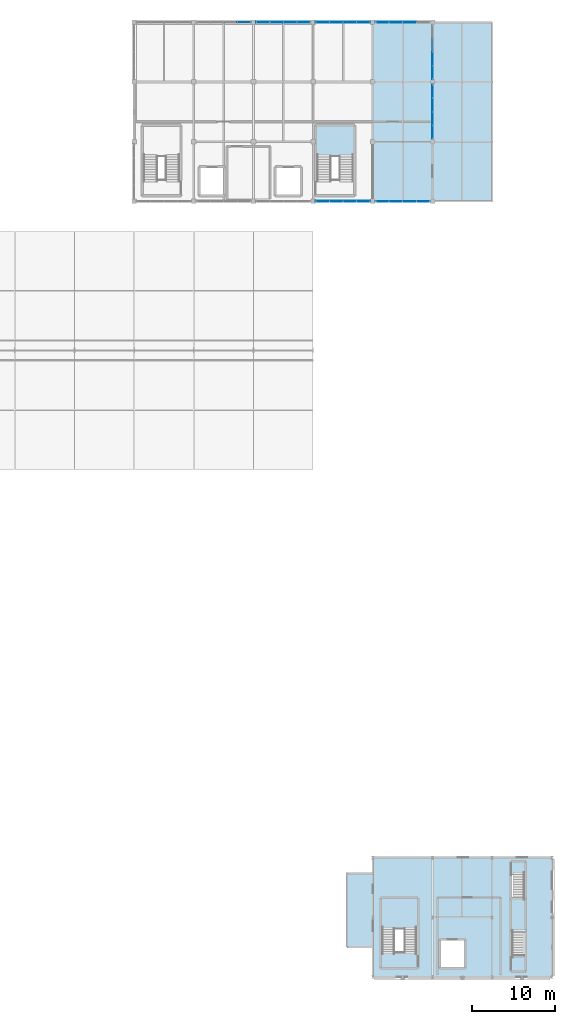
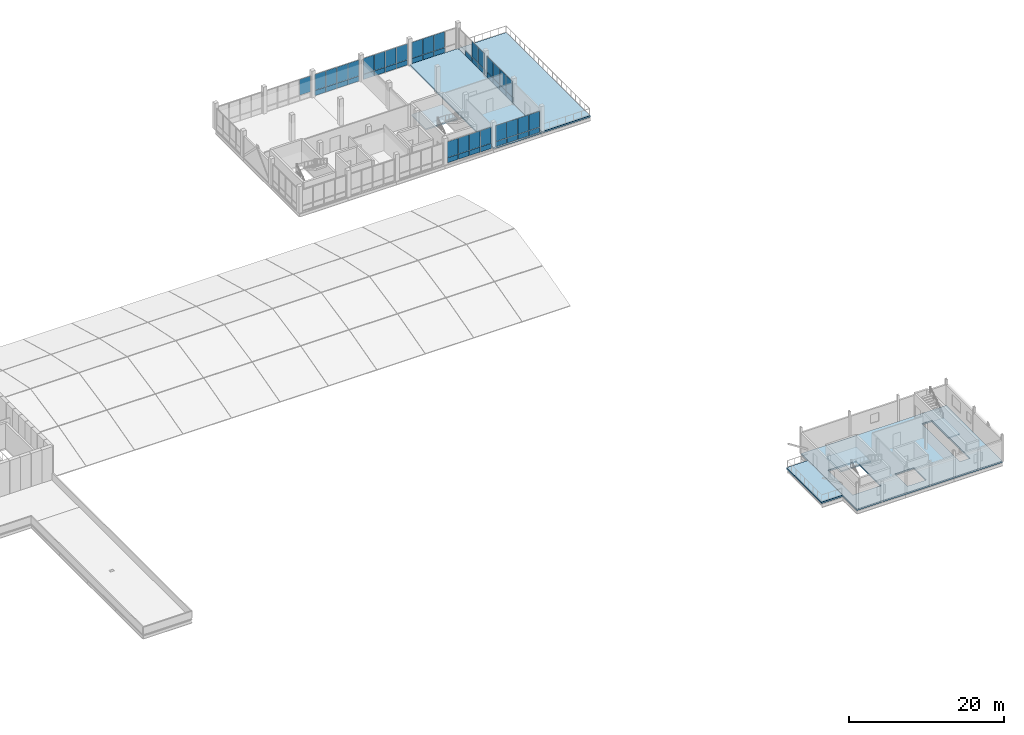
# One storey, part 33 of 47: 52 plates, 7 slabs, 11 elements without a shape of their own.
"""IFC4 building model written with IfcOpenShell, lengths in metres."""

from ifc_helpers import new_model, si_unit, direction, frame, origin, origin_2d, place, context, subcontext, project, spatial, polyline, rectangle, outline, extrude, material, layer, layer_set, type_object, element, aggregate, save


model = new_model("IFC4")

# Units and contexts
model_context = context("Model", 3, precision=1e-05, world=origin(), true_north=direction((0.0, 1.0)))
body_context = subcontext(model_context, "Body", "Model", "MODEL_VIEW")
ifc_project = project(units=[si_unit("LENGTHUNIT", "METRE"), si_unit("AREAUNIT", "SQUARE_METRE"), si_unit("VOLUMEUNIT", "CUBIC_METRE"), si_unit("PLANEANGLEUNIT", "RADIAN"), si_unit("MASSUNIT", "GRAM", prefix="KILO")], contexts=[model_context])

# Site, building, storey
site_placement = place(None, origin())
site = spatial("IfcSite", under=ifc_project, at=site_placement, CompositionType="ELEMENT")
building_placement = place(site_placement, origin())
building = spatial("IfcBuilding", under=site, at=building_placement, Name="Yarey Park Central Fire Station", CompositionType="ELEMENT")
storey_placement = place(building_placement, frame((0.0, 0.0, 18.0)))
storey = spatial("IfcBuildingStorey", under=building, at=storey_placement, Name="L05", CompositionType="ELEMENT", Elevation=18.0)

# Curtain wall, plates
ifc_material_1 = material(Name="Anodized Aluminium Frame", Category="aluminium")
curtain_wall_type = type_object("IfcCurtainWallType", Name="ENV_CW_HQ_L05", PredefinedType="NOTDEFINED", material=ifc_material_1)
curtain_wall_1_placement = place(storey_placement, origin())
curtain_wall_1 = element("IfcCurtainWall", 1, at=curtain_wall_1_placement, inside=storey, type_object=curtain_wall_type, Name="CW_L05_V4_S_5", PredefinedType="NOTDEFINED")
ifc_material_2 = material(Name="Insulated Aluminium Spandrel Panel", Category="aluminium")
ifc_layer_1 = layer(ifc_material_2, 0.055908203125)
ifc_layer_set_1 = layer_set([ifc_layer_1], Name="Insulated Aluminium Spandrel Panel")
plate_type_1 = type_object("IfcPlateType", Name="ENV_PNL_SPN_01", PredefinedType="CURTAIN_PANEL", material=ifc_layer_set_1)
plate_1_placement = place(storey_placement, frame((145.132568359375, 93.60009765625, 0.04248046875), z_axis=(0.0, 0.0, 1.0), x_axis=(1.0, 0.0, 0.0)))
plate_1 = element("IfcPlate", 2, at=plate_1_placement, type_object=plate_type_1, Name="CW_L05_V4_S_5_PNL01", PredefinedType="CURTAIN_PANEL", context=body_context, shape_type="SweptSolid", body=[
    extrude(rectangle(XDim=1.60498046875, YDim=0.055908203125, at=origin_2d()), origin(), (0.0, 0.0, 1.0), 0.7900390625),
])
plate_2_placement = place(storey_placement, frame((146.777587890625, 93.60009765625, 0.04248046875), z_axis=(0.0, 0.0, 1.0), x_axis=(1.0, 0.0, 0.0)))
plate_2 = element("IfcPlate", 3, at=plate_2_placement, type_object=plate_type_1, Name="CW_L05_V4_S_5_PNL03", PredefinedType="CURTAIN_PANEL", context=body_context, shape_type="SweptSolid", body=[
    extrude(rectangle(XDim=1.60498046875, YDim=0.055908203125, at=origin_2d()), origin(), (0.0, 0.0, 1.0), 0.7900390625),
])
plate_3_placement = place(storey_placement, frame((148.422607421875, 93.60009765625, 0.04248046875), z_axis=(0.0, 0.0, 1.0), x_axis=(1.0, 0.0, 0.0)))
plate_3 = element("IfcPlate", 4, at=plate_3_placement, type_object=plate_type_1, Name="CW_L05_V4_S_5_PNL05", PredefinedType="CURTAIN_PANEL", context=body_context, shape_type="SweptSolid", body=[
    extrude(rectangle(XDim=1.60498046875, YDim=0.055908203125, at=origin_2d()), origin(), (0.0, 0.0, 1.0), 0.7900390625),
])
plate_4_placement = place(storey_placement, frame((150.0673828125, 93.60009765625, 0.04248046875), z_axis=(0.0, 0.0, 1.0), x_axis=(1.0, 0.0, 0.0)))
plate_4 = element("IfcPlate", 5, at=plate_4_placement, type_object=plate_type_1, Name="CW_L05_V4_S_5_PNL07", PredefinedType="CURTAIN_PANEL", context=body_context, shape_type="SweptSolid", body=[
    extrude(rectangle(XDim=1.60498046875, YDim=0.055908203125, at=origin_2d()), origin(), (0.0, 0.0, 1.0), 0.7900390625),
])

curtain_wall_2_placement = place(storey_placement, origin())
curtain_wall_2 = element("IfcCurtainWall", 6, at=curtain_wall_2_placement, inside=storey, type_object=curtain_wall_type, Name="CW_L05_V4_E_108", PredefinedType="NOTDEFINED")
plate_5_placement = place(storey_placement, frame((151.199951171875, 109.132568359375, 0.04248046875), z_axis=(0.0, 0.0, 1.0), x_axis=(0.0, 1.0, 0.0)))
plate_5 = element("IfcPlate", 7, at=plate_5_placement, type_object=plate_type_1, Name="CW_L05_V4_E_108_PNL01", PredefinedType="CURTAIN_PANEL", context=body_context, shape_type="SweptSolid", body=[
    extrude(rectangle(XDim=1.60498046875, YDim=0.055908203125, at=origin_2d()), origin(), (0.0, 0.0, 1.0), 0.7900390625),
])
plate_6_placement = place(storey_placement, frame((151.199951171875, 110.777587890625, 0.04248046875), z_axis=(0.0, 0.0, 1.0), x_axis=(0.0, 1.0, 0.0)))
plate_6 = element("IfcPlate", 8, at=plate_6_placement, type_object=plate_type_1, Name="CW_L05_V4_E_108_PNL03", PredefinedType="CURTAIN_PANEL", context=body_context, shape_type="SweptSolid", body=[
    extrude(rectangle(XDim=1.60498046875, YDim=0.055908203125, at=origin_2d()), origin(), (0.0, 0.0, 1.0), 0.7900390625),
])
plate_7_placement = place(storey_placement, frame((151.199951171875, 112.422607421875, 0.04248046875), z_axis=(0.0, 0.0, 1.0), x_axis=(0.0, 1.0, 0.0)))
plate_7 = element("IfcPlate", 9, at=plate_7_placement, type_object=plate_type_1, Name="CW_L05_V4_E_108_PNL05", PredefinedType="CURTAIN_PANEL", context=body_context, shape_type="SweptSolid", body=[
    extrude(rectangle(XDim=1.60498046875, YDim=0.055908203125, at=origin_2d()), origin(), (0.0, 0.0, 1.0), 0.7900390625),
])

curtain_wall_3_placement = place(storey_placement, origin())
curtain_wall_3 = element("IfcCurtainWall", 10, at=curtain_wall_3_placement, inside=storey, type_object=curtain_wall_type, Name="CW_L05_V4_N_4", PredefinedType="NOTDEFINED")
ifc_layer_2 = layer(ifc_material_2, 0.068115234375)
ifc_layer_set_2 = layer_set([ifc_layer_2], Name="Insulated Aluminium Spandrel Panel")
plate_type_2 = type_object("IfcPlateType", Name="ENV_PNL_SPN_02", PredefinedType="CURTAIN_PANEL", material=ifc_layer_set_2)
plate_8_placement = place(storey_placement, frame((142.867431640625, 115.199951171875, 0.04248046875), z_axis=(0.0, 0.0, 1.0), x_axis=(-1.0, 0.0, 0.0)))
plate_8 = element("IfcPlate", 11, at=plate_8_placement, type_object=plate_type_2, Name="CW_L05_V4_N_4_PNL01", PredefinedType="CURTAIN_PANEL", context=body_context, shape_type="SweptSolid", body=[
    extrude(rectangle(XDim=1.60498046875, YDim=0.068115234375, at=origin_2d()), origin(), (0.0, 0.0, 1.0), 0.7900390625),
])
plate_9_placement = place(storey_placement, frame((141.222412109375, 115.199951171875, 0.04248046875), z_axis=(0.0, 0.0, 1.0), x_axis=(-1.0, 0.0, 0.0)))
plate_9 = element("IfcPlate", 12, at=plate_9_placement, type_object=plate_type_2, Name="CW_L05_V4_N_4_PNL03", PredefinedType="CURTAIN_PANEL", context=body_context, shape_type="SweptSolid", body=[
    extrude(rectangle(XDim=1.60498046875, YDim=0.068115234375, at=origin_2d()), origin(), (0.0, 0.0, 1.0), 0.7900390625),
])
plate_10_placement = place(storey_placement, frame((139.577392578125, 115.199951171875, 0.04248046875), z_axis=(0.0, 0.0, 1.0), x_axis=(-1.0, 0.0, 0.0)))
plate_10 = element("IfcPlate", 13, at=plate_10_placement, type_object=plate_type_2, Name="CW_L05_V4_N_4_PNL05", PredefinedType="CURTAIN_PANEL", context=body_context, shape_type="SweptSolid", body=[
    extrude(rectangle(XDim=1.60498046875, YDim=0.068115234375, at=origin_2d()), origin(), (0.0, 0.0, 1.0), 0.7900390625),
])
plate_11_placement = place(storey_placement, frame((137.9326171875, 115.199951171875, 0.04248046875), z_axis=(0.0, 0.0, 1.0), x_axis=(-1.0, 0.0, 0.0)))
plate_11 = element("IfcPlate", 14, at=plate_11_placement, type_object=plate_type_2, Name="CW_L05_V4_N_4_PNL07", PredefinedType="CURTAIN_PANEL", context=body_context, shape_type="SweptSolid", body=[
    extrude(rectangle(XDim=1.60498046875, YDim=0.068115234375, at=origin_2d()), origin(), (0.0, 0.0, 1.0), 0.7900390625),
])

curtain_wall_4_placement = place(storey_placement, origin())
curtain_wall_4 = element("IfcCurtainWall", 15, at=curtain_wall_4_placement, inside=storey, type_object=curtain_wall_type, Name="CW_L05_V4_S_4", PredefinedType="NOTDEFINED")
ifc_layer_3 = layer(ifc_material_2, 0.077880859375)
ifc_layer_set_3 = layer_set([ifc_layer_3], Name="Insulated Aluminium Spandrel Panel")
plate_type_3 = type_object("IfcPlateType", Name="ENV_PNL_SPN_03", PredefinedType="CURTAIN_PANEL", material=ifc_layer_set_3)
plate_12_placement = place(storey_placement, frame((137.9326171875, 93.60009765625, 0.04248046875), z_axis=(0.0, 0.0, 1.0), x_axis=(1.0, 0.0, 0.0)))
plate_12 = element("IfcPlate", 16, at=plate_12_placement, type_object=plate_type_3, Name="CW_L05_V4_S_4_PNL01", PredefinedType="CURTAIN_PANEL", context=body_context, shape_type="SweptSolid", body=[
    extrude(rectangle(XDim=1.60498046875, YDim=0.077880859375, at=origin_2d()), origin(), (0.0, 0.0, 1.0), 0.7900390625),
])
plate_13_placement = place(storey_placement, frame((139.577392578125, 93.60009765625, 0.04248046875), z_axis=(0.0, 0.0, 1.0), x_axis=(1.0, 0.0, 0.0)))
plate_13 = element("IfcPlate", 17, at=plate_13_placement, type_object=plate_type_3, Name="CW_L05_V4_S_4_PNL03", PredefinedType="CURTAIN_PANEL", context=body_context, shape_type="SweptSolid", body=[
    extrude(rectangle(XDim=1.60498046875, YDim=0.077880859375, at=origin_2d()), origin(), (0.0, 0.0, 1.0), 0.7900390625),
])
plate_14_placement = place(storey_placement, frame((141.222412109375, 93.60009765625, 0.04248046875), z_axis=(0.0, 0.0, 1.0), x_axis=(1.0, 0.0, 0.0)))
plate_14 = element("IfcPlate", 18, at=plate_14_placement, type_object=plate_type_3, Name="CW_L05_V4_S_4_PNL05", PredefinedType="CURTAIN_PANEL", context=body_context, shape_type="SweptSolid", body=[
    extrude(rectangle(XDim=1.60498046875, YDim=0.077880859375, at=origin_2d()), origin(), (0.0, 0.0, 1.0), 0.7900390625),
])
plate_15_placement = place(storey_placement, frame((142.867431640625, 93.60009765625, 0.04248046875), z_axis=(0.0, 0.0, 1.0), x_axis=(1.0, 0.0, 0.0)))
plate_15 = element("IfcPlate", 19, at=plate_15_placement, type_object=plate_type_3, Name="CW_L05_V4_S_4_PNL07", PredefinedType="CURTAIN_PANEL", context=body_context, shape_type="SweptSolid", body=[
    extrude(rectangle(XDim=1.60498046875, YDim=0.077880859375, at=origin_2d()), origin(), (0.0, 0.0, 1.0), 0.7900390625),
])

curtain_wall_5_placement = place(storey_placement, origin())
curtain_wall_5 = element("IfcCurtainWall", 20, at=curtain_wall_5_placement, inside=storey, type_object=curtain_wall_type, Name="CW_L05_V4_N_3", PredefinedType="NOTDEFINED")
ifc_layer_4 = layer(ifc_material_2, 0.087890625)
ifc_layer_set_4 = layer_set([ifc_layer_4], Name="Insulated Aluminium Spandrel Panel")
plate_type_4 = type_object("IfcPlateType", Name="ENV_PNL_SPN_04", PredefinedType="CURTAIN_PANEL", material=ifc_layer_set_4)
plate_16_placement = place(storey_placement, frame((135.66748046875, 115.199951171875, 0.04248046875), z_axis=(0.0, 0.0, 1.0), x_axis=(-1.0, 0.0, 0.0)))
plate_16 = element("IfcPlate", 21, at=plate_16_placement, type_object=plate_type_4, Name="CW_L05_V4_N_3_PNL01", PredefinedType="CURTAIN_PANEL", context=body_context, shape_type="SweptSolid", body=[
    extrude(rectangle(XDim=1.60498046875, YDim=0.087890625, at=origin_2d()), origin(), (0.0, 0.0, 1.0), 0.7900390625),
])
plate_17_placement = place(storey_placement, frame((134.0224609375, 115.199951171875, 0.04248046875), z_axis=(0.0, 0.0, 1.0), x_axis=(-1.0, 0.0, 0.0)))
plate_17 = element("IfcPlate", 22, at=plate_17_placement, type_object=plate_type_4, Name="CW_L05_V4_N_3_PNL03", PredefinedType="CURTAIN_PANEL", context=body_context, shape_type="SweptSolid", body=[
    extrude(rectangle(XDim=1.60498046875, YDim=0.087890625, at=origin_2d()), origin(), (0.0, 0.0, 1.0), 0.7900390625),
])
plate_18_placement = place(storey_placement, frame((132.37744140625, 115.199951171875, 0.04248046875), z_axis=(0.0, 0.0, 1.0), x_axis=(-1.0, 0.0, 0.0)))
plate_18 = element("IfcPlate", 23, at=plate_18_placement, type_object=plate_type_4, Name="CW_L05_V4_N_3_PNL05", PredefinedType="CURTAIN_PANEL", context=body_context, shape_type="SweptSolid", body=[
    extrude(rectangle(XDim=1.60498046875, YDim=0.087890625, at=origin_2d()), origin(), (0.0, 0.0, 1.0), 0.7900390625),
])
plate_19_placement = place(storey_placement, frame((130.732421875, 115.199951171875, 0.04248046875), z_axis=(0.0, 0.0, 1.0), x_axis=(-1.0, 0.0, 0.0)))
plate_19 = element("IfcPlate", 24, at=plate_19_placement, type_object=plate_type_4, Name="CW_L05_V4_N_3_PNL07", PredefinedType="CURTAIN_PANEL", context=body_context, shape_type="SweptSolid", body=[
    extrude(rectangle(XDim=1.60498046875, YDim=0.087890625, at=origin_2d()), origin(), (0.0, 0.0, 1.0), 0.7900390625),
])

curtain_wall_6_placement = place(storey_placement, origin())
curtain_wall_6 = element("IfcCurtainWall", 25, at=curtain_wall_6_placement, inside=storey, type_object=curtain_wall_type, Name="CW_L05_V4_N_5", PredefinedType="NOTDEFINED")
plate_20_placement = place(storey_placement, frame((148.422607421875, 115.199951171875, 0.04248046875), z_axis=(0.0, 0.0, 1.0), x_axis=(-1.0, 0.0, 0.0)))
plate_20 = element("IfcPlate", 26, at=plate_20_placement, type_object=plate_type_4, Name="CW_L05_V4_N_5_PNL03", PredefinedType="CURTAIN_PANEL", context=body_context, shape_type="SweptSolid", body=[
    extrude(rectangle(XDim=1.60498046875, YDim=0.087890625, at=origin_2d()), origin(), (0.0, 0.0, 1.0), 0.7900390625),
])
plate_21_placement = place(storey_placement, frame((146.777587890625, 115.199951171875, 0.04248046875), z_axis=(0.0, 0.0, 1.0), x_axis=(-1.0, 0.0, 0.0)))
plate_21 = element("IfcPlate", 27, at=plate_21_placement, type_object=plate_type_4, Name="CW_L05_V4_N_5_PNL05", PredefinedType="CURTAIN_PANEL", context=body_context, shape_type="SweptSolid", body=[
    extrude(rectangle(XDim=1.60498046875, YDim=0.087890625, at=origin_2d()), origin(), (0.0, 0.0, 1.0), 0.7900390625),
])
plate_22_placement = place(storey_placement, frame((145.132568359375, 115.199951171875, 0.04248046875), z_axis=(0.0, 0.0, 1.0), x_axis=(-1.0, 0.0, 0.0)))
plate_22 = element("IfcPlate", 28, at=plate_22_placement, type_object=plate_type_4, Name="CW_L05_V4_N_5_PNL07", PredefinedType="CURTAIN_PANEL", context=body_context, shape_type="SweptSolid", body=[
    extrude(rectangle(XDim=1.60498046875, YDim=0.087890625, at=origin_2d()), origin(), (0.0, 0.0, 1.0), 0.7900390625),
])

curtain_wall_7_placement = place(storey_placement, origin())
curtain_wall_7 = element("IfcCurtainWall", 29, at=curtain_wall_7_placement, inside=storey, type_object=curtain_wall_type, Name="CW_L05_V4_E_100", PredefinedType="NOTDEFINED")
plate_23_placement = place(storey_placement, frame((151.199951171875, 101.9326171875, 0.04248046875), z_axis=(0.0, 0.0, 1.0), x_axis=(0.0, 1.0, 0.0)))
plate_23 = element("IfcPlate", 30, at=plate_23_placement, type_object=plate_type_4, Name="CW_L05_V4_E_100_PNL01", PredefinedType="CURTAIN_PANEL", context=body_context, shape_type="SweptSolid", body=[
    extrude(rectangle(XDim=1.60498046875, YDim=0.087890625, at=origin_2d()), origin(), (0.0, 0.0, 1.0), 0.7900390625),
])
plate_24_placement = place(storey_placement, frame((151.199951171875, 103.577392578125, 0.04248046875), z_axis=(0.0, 0.0, 1.0), x_axis=(0.0, 1.0, 0.0)))
plate_24 = element("IfcPlate", 31, at=plate_24_placement, type_object=plate_type_4, Name="CW_L05_V4_E_100_PNL03", PredefinedType="CURTAIN_PANEL", context=body_context, shape_type="SweptSolid", body=[
    extrude(rectangle(XDim=1.60498046875, YDim=0.087890625, at=origin_2d()), origin(), (0.0, 0.0, 1.0), 0.7900390625),
])
plate_25_placement = place(storey_placement, frame((151.199951171875, 105.222412109375, 0.04248046875), z_axis=(0.0, 0.0, 1.0), x_axis=(0.0, 1.0, 0.0)))
plate_25 = element("IfcPlate", 32, at=plate_25_placement, type_object=plate_type_4, Name="CW_L05_V4_E_100_PNL05", PredefinedType="CURTAIN_PANEL", context=body_context, shape_type="SweptSolid", body=[
    extrude(rectangle(XDim=1.60498046875, YDim=0.087890625, at=origin_2d()), origin(), (0.0, 0.0, 1.0), 0.7900390625),
])
plate_26_placement = place(storey_placement, frame((151.199951171875, 106.867431640625, 0.04248046875), z_axis=(0.0, 0.0, 1.0), x_axis=(0.0, 1.0, 0.0)))
plate_26 = element("IfcPlate", 33, at=plate_26_placement, type_object=plate_type_4, Name="CW_L05_V4_E_100_PNL07", PredefinedType="CURTAIN_PANEL", context=body_context, shape_type="SweptSolid", body=[
    extrude(rectangle(XDim=1.60498046875, YDim=0.087890625, at=origin_2d()), origin(), (0.0, 0.0, 1.0), 0.7900390625),
])

# Plate
ifc_material_3 = material(Name="Laminated Hurricane Low-E Glass", Category="glass")
ifc_layer_5 = layer(ifc_material_3, 0.02392578125)
ifc_layer_set_5 = layer_set([ifc_layer_5], Name="Laminated Hurricane Low-E Glass")
plate_type_5 = type_object("IfcPlateType", Name="ENV_PNL_VIS_01", PredefinedType="CURTAIN_PANEL", material=ifc_layer_set_5)
plate_27_placement = place(storey_placement, frame((145.132568359375, 93.60009765625, 0.86767578125), z_axis=(0.0, 0.0, 1.0), x_axis=(1.0, 0.0, 0.0)))
plate_27 = element("IfcPlate", 34, at=plate_27_placement, type_object=plate_type_5, Name="CW_L05_V4_S_5_PNL02", PredefinedType="CURTAIN_PANEL", context=body_context, shape_type="SweptSolid", body=[
    extrude(rectangle(XDim=1.60498046875, YDim=0.02392578125, at=origin_2d()), origin(), (0.0, 0.0, 1.0), 2.489990234375),
])

plate_28_placement = place(storey_placement, frame((146.777587890625, 93.60009765625, 0.86767578125), z_axis=(0.0, 0.0, 1.0), x_axis=(1.0, 0.0, 0.0)))
plate_28 = element("IfcPlate", 35, at=plate_28_placement, type_object=plate_type_5, Name="CW_L05_V4_S_5_PNL04", PredefinedType="CURTAIN_PANEL", context=body_context, shape_type="SweptSolid", body=[
    extrude(rectangle(XDim=1.60498046875, YDim=0.02392578125, at=origin_2d()), origin(), (0.0, 0.0, 1.0), 2.489990234375),
])

plate_29_placement = place(storey_placement, frame((148.422607421875, 93.60009765625, 0.86767578125), z_axis=(0.0, 0.0, 1.0), x_axis=(1.0, 0.0, 0.0)))
plate_29 = element("IfcPlate", 36, at=plate_29_placement, type_object=plate_type_5, Name="CW_L05_V4_S_5_PNL06", PredefinedType="CURTAIN_PANEL", context=body_context, shape_type="SweptSolid", body=[
    extrude(rectangle(XDim=1.60498046875, YDim=0.02392578125, at=origin_2d()), origin(), (0.0, 0.0, 1.0), 2.489990234375),
])

plate_30_placement = place(storey_placement, frame((150.0673828125, 93.60009765625, 0.86767578125), z_axis=(0.0, 0.0, 1.0), x_axis=(1.0, 0.0, 0.0)))
plate_30 = element("IfcPlate", 37, at=plate_30_placement, type_object=plate_type_5, Name="CW_L05_V4_S_5_PNL08", PredefinedType="CURTAIN_PANEL", context=body_context, shape_type="SweptSolid", body=[
    extrude(rectangle(XDim=1.60498046875, YDim=0.02392578125, at=origin_2d()), origin(), (0.0, 0.0, 1.0), 2.489990234375),
])

aggregate(curtain_wall_1, [plate_1, plate_27, plate_2, plate_28, plate_3, plate_29, plate_4, plate_30])

plate_31_placement = place(storey_placement, frame((151.199951171875, 109.132568359375, 0.86767578125), z_axis=(0.0, 0.0, 1.0), x_axis=(0.0, 1.0, 0.0)))
plate_31 = element("IfcPlate", 38, at=plate_31_placement, type_object=plate_type_5, Name="CW_L05_V4_E_108_PNL02", PredefinedType="CURTAIN_PANEL", context=body_context, shape_type="SweptSolid", body=[
    extrude(rectangle(XDim=1.60498046875, YDim=0.02392578125, at=origin_2d()), origin(), (0.0, 0.0, 1.0), 2.489990234375),
])

plate_32_placement = place(storey_placement, frame((151.199951171875, 110.777587890625, 0.86767578125), z_axis=(0.0, 0.0, 1.0), x_axis=(0.0, 1.0, 0.0)))
plate_32 = element("IfcPlate", 39, at=plate_32_placement, type_object=plate_type_5, Name="CW_L05_V4_E_108_PNL04", PredefinedType="CURTAIN_PANEL", context=body_context, shape_type="SweptSolid", body=[
    extrude(rectangle(XDim=1.60498046875, YDim=0.02392578125, at=origin_2d()), origin(), (0.0, 0.0, 1.0), 2.489990234375),
])

aggregate(curtain_wall_2, [plate_5, plate_31, plate_6, plate_32, plate_7])

# Curtain wall, plate
curtain_wall_8_placement = place(storey_placement, origin())
curtain_wall_8 = element("IfcCurtainWall", 40, at=curtain_wall_8_placement, inside=storey, type_object=curtain_wall_type, Name="CW_L05_V4_N_2", PredefinedType="NOTDEFINED")
ifc_layer_6 = layer(ifc_material_3, 0.031982421875)
ifc_layer_set_6 = layer_set([ifc_layer_6], Name="Laminated Hurricane Low-E Glass")
plate_type_6 = type_object("IfcPlateType", Name="ENV_PNL_VIS_02", PredefinedType="CURTAIN_PANEL", material=ifc_layer_set_6)
plate_33_placement = place(storey_placement, frame((128.467529296875, 115.199951171875, 0.86767578125), z_axis=(0.0, 0.0, 1.0), x_axis=(-1.0, 0.0, 0.0)))
plate_33 = element("IfcPlate", 41, at=plate_33_placement, type_object=plate_type_6, Name="CW_L05_V4_N_2_PNL02", PredefinedType="CURTAIN_PANEL", context=body_context, shape_type="SweptSolid", body=[
    extrude(rectangle(XDim=1.60498046875, YDim=0.031982421875, at=origin_2d()), origin(), (0.0, 0.0, 1.0), 2.489990234375),
])
aggregate(curtain_wall_8, [plate_33])

# Plate
plate_34_placement = place(storey_placement, frame((142.867431640625, 115.199951171875, 0.86767578125), z_axis=(0.0, 0.0, 1.0), x_axis=(-1.0, 0.0, 0.0)))
plate_34 = element("IfcPlate", 42, at=plate_34_placement, type_object=plate_type_6, Name="CW_L05_V4_N_4_PNL02", PredefinedType="CURTAIN_PANEL", context=body_context, shape_type="SweptSolid", body=[
    extrude(rectangle(XDim=1.60498046875, YDim=0.031982421875, at=origin_2d()), origin(), (0.0, 0.0, 1.0), 2.489990234375),
])

plate_35_placement = place(storey_placement, frame((141.222412109375, 115.199951171875, 0.86767578125), z_axis=(0.0, 0.0, 1.0), x_axis=(-1.0, 0.0, 0.0)))
plate_35 = element("IfcPlate", 43, at=plate_35_placement, type_object=plate_type_6, Name="CW_L05_V4_N_4_PNL04", PredefinedType="CURTAIN_PANEL", context=body_context, shape_type="SweptSolid", body=[
    extrude(rectangle(XDim=1.60498046875, YDim=0.031982421875, at=origin_2d()), origin(), (0.0, 0.0, 1.0), 2.489990234375),
])

plate_36_placement = place(storey_placement, frame((139.577392578125, 115.199951171875, 0.86767578125), z_axis=(0.0, 0.0, 1.0), x_axis=(-1.0, 0.0, 0.0)))
plate_36 = element("IfcPlate", 44, at=plate_36_placement, type_object=plate_type_6, Name="CW_L05_V4_N_4_PNL06", PredefinedType="CURTAIN_PANEL", context=body_context, shape_type="SweptSolid", body=[
    extrude(rectangle(XDim=1.60498046875, YDim=0.031982421875, at=origin_2d()), origin(), (0.0, 0.0, 1.0), 2.489990234375),
])

plate_37_placement = place(storey_placement, frame((137.9326171875, 115.199951171875, 0.86767578125), z_axis=(0.0, 0.0, 1.0), x_axis=(-1.0, 0.0, 0.0)))
plate_37 = element("IfcPlate", 45, at=plate_37_placement, type_object=plate_type_6, Name="CW_L05_V4_N_4_PNL08", PredefinedType="CURTAIN_PANEL", context=body_context, shape_type="SweptSolid", body=[
    extrude(rectangle(XDim=1.60498046875, YDim=0.031982421875, at=origin_2d()), origin(), (0.0, 0.0, 1.0), 2.489990234375),
])

aggregate(curtain_wall_3, [plate_8, plate_34, plate_9, plate_35, plate_10, plate_36, plate_11, plate_37])

ifc_layer_7 = layer(ifc_material_3, 0.0380859375)
ifc_layer_set_7 = layer_set([ifc_layer_7], Name="Laminated Hurricane Low-E Glass")
plate_type_7 = type_object("IfcPlateType", Name="ENV_PNL_VIS_03", PredefinedType="CURTAIN_PANEL", material=ifc_layer_set_7)
plate_38_placement = place(storey_placement, frame((137.9326171875, 93.60009765625, 0.86767578125), z_axis=(0.0, 0.0, 1.0), x_axis=(1.0, 0.0, 0.0)))
plate_38 = element("IfcPlate", 46, at=plate_38_placement, type_object=plate_type_7, Name="CW_L05_V4_S_4_PNL02", PredefinedType="CURTAIN_PANEL", context=body_context, shape_type="SweptSolid", body=[
    extrude(rectangle(XDim=1.60498046875, YDim=0.0380859375, at=origin_2d()), origin(), (0.0, 0.0, 1.0), 2.489990234375),
])

plate_39_placement = place(storey_placement, frame((139.577392578125, 93.60009765625, 0.86767578125), z_axis=(0.0, 0.0, 1.0), x_axis=(1.0, 0.0, 0.0)))
plate_39 = element("IfcPlate", 47, at=plate_39_placement, type_object=plate_type_7, Name="CW_L05_V4_S_4_PNL04", PredefinedType="CURTAIN_PANEL", context=body_context, shape_type="SweptSolid", body=[
    extrude(rectangle(XDim=1.60498046875, YDim=0.0380859375, at=origin_2d()), origin(), (0.0, 0.0, 1.0), 2.489990234375),
])

plate_40_placement = place(storey_placement, frame((141.222412109375, 93.60009765625, 0.86767578125), z_axis=(0.0, 0.0, 1.0), x_axis=(1.0, 0.0, 0.0)))
plate_40 = element("IfcPlate", 48, at=plate_40_placement, type_object=plate_type_7, Name="CW_L05_V4_S_4_PNL06", PredefinedType="CURTAIN_PANEL", context=body_context, shape_type="SweptSolid", body=[
    extrude(rectangle(XDim=1.60498046875, YDim=0.0380859375, at=origin_2d()), origin(), (0.0, 0.0, 1.0), 2.489990234375),
])

plate_41_placement = place(storey_placement, frame((142.867431640625, 93.60009765625, 0.86767578125), z_axis=(0.0, 0.0, 1.0), x_axis=(1.0, 0.0, 0.0)))
plate_41 = element("IfcPlate", 49, at=plate_41_placement, type_object=plate_type_7, Name="CW_L05_V4_S_4_PNL08", PredefinedType="CURTAIN_PANEL", context=body_context, shape_type="SweptSolid", body=[
    extrude(rectangle(XDim=1.60498046875, YDim=0.0380859375, at=origin_2d()), origin(), (0.0, 0.0, 1.0), 2.489990234375),
])

aggregate(curtain_wall_4, [plate_12, plate_38, plate_13, plate_39, plate_14, plate_40, plate_15, plate_41])

ifc_layer_8 = layer(ifc_material_3, 0.0458984375)
ifc_layer_set_8 = layer_set([ifc_layer_8], Name="Laminated Hurricane Low-E Glass")
plate_type_8 = type_object("IfcPlateType", Name="ENV_PNL_VIS_04", PredefinedType="CURTAIN_PANEL", material=ifc_layer_set_8)
plate_42_placement = place(storey_placement, frame((135.66748046875, 115.199951171875, 0.86767578125), z_axis=(0.0, 0.0, 1.0), x_axis=(-1.0, 0.0, 0.0)))
plate_42 = element("IfcPlate", 50, at=plate_42_placement, type_object=plate_type_8, Name="CW_L05_V4_N_3_PNL02", PredefinedType="CURTAIN_PANEL", context=body_context, shape_type="SweptSolid", body=[
    extrude(rectangle(XDim=1.60498046875, YDim=0.0458984375, at=origin_2d()), origin(), (0.0, 0.0, 1.0), 2.489990234375),
])

plate_43_placement = place(storey_placement, frame((134.0224609375, 115.199951171875, 0.86767578125), z_axis=(0.0, 0.0, 1.0), x_axis=(-1.0, 0.0, 0.0)))
plate_43 = element("IfcPlate", 51, at=plate_43_placement, type_object=plate_type_8, Name="CW_L05_V4_N_3_PNL04", PredefinedType="CURTAIN_PANEL", context=body_context, shape_type="SweptSolid", body=[
    extrude(rectangle(XDim=1.60498046875, YDim=0.0458984375, at=origin_2d()), origin(), (0.0, 0.0, 1.0), 2.489990234375),
])

plate_44_placement = place(storey_placement, frame((132.37744140625, 115.199951171875, 0.86767578125), z_axis=(0.0, 0.0, 1.0), x_axis=(-1.0, 0.0, 0.0)))
plate_44 = element("IfcPlate", 52, at=plate_44_placement, type_object=plate_type_8, Name="CW_L05_V4_N_3_PNL06", PredefinedType="CURTAIN_PANEL", context=body_context, shape_type="SweptSolid", body=[
    extrude(rectangle(XDim=1.60498046875, YDim=0.0458984375, at=origin_2d()), origin(), (0.0, 0.0, 1.0), 2.489990234375),
])

plate_45_placement = place(storey_placement, frame((130.732421875, 115.199951171875, 0.86767578125), z_axis=(0.0, 0.0, 1.0), x_axis=(-1.0, 0.0, 0.0)))
plate_45 = element("IfcPlate", 53, at=plate_45_placement, type_object=plate_type_8, Name="CW_L05_V4_N_3_PNL08", PredefinedType="CURTAIN_PANEL", context=body_context, shape_type="SweptSolid", body=[
    extrude(rectangle(XDim=1.60498046875, YDim=0.0458984375, at=origin_2d()), origin(), (0.0, 0.0, 1.0), 2.489990234375),
])

aggregate(curtain_wall_5, [plate_16, plate_42, plate_17, plate_43, plate_18, plate_44, plate_19, plate_45])

plate_46_placement = place(storey_placement, frame((148.422607421875, 115.199951171875, 0.86767578125), z_axis=(0.0, 0.0, 1.0), x_axis=(-1.0, 0.0, 0.0)))
plate_46 = element("IfcPlate", 54, at=plate_46_placement, type_object=plate_type_8, Name="CW_L05_V4_N_5_PNL04", PredefinedType="CURTAIN_PANEL", context=body_context, shape_type="SweptSolid", body=[
    extrude(rectangle(XDim=1.60498046875, YDim=0.0458984375, at=origin_2d()), origin(), (0.0, 0.0, 1.0), 2.489990234375),
])

plate_47_placement = place(storey_placement, frame((146.777587890625, 115.199951171875, 0.86767578125), z_axis=(0.0, 0.0, 1.0), x_axis=(-1.0, 0.0, 0.0)))
plate_47 = element("IfcPlate", 55, at=plate_47_placement, type_object=plate_type_8, Name="CW_L05_V4_N_5_PNL06", PredefinedType="CURTAIN_PANEL", context=body_context, shape_type="SweptSolid", body=[
    extrude(rectangle(XDim=1.60498046875, YDim=0.0458984375, at=origin_2d()), origin(), (0.0, 0.0, 1.0), 2.489990234375),
])

plate_48_placement = place(storey_placement, frame((145.132568359375, 115.199951171875, 0.86767578125), z_axis=(0.0, 0.0, 1.0), x_axis=(-1.0, 0.0, 0.0)))
plate_48 = element("IfcPlate", 56, at=plate_48_placement, type_object=plate_type_8, Name="CW_L05_V4_N_5_PNL08", PredefinedType="CURTAIN_PANEL", context=body_context, shape_type="SweptSolid", body=[
    extrude(rectangle(XDim=1.60498046875, YDim=0.0458984375, at=origin_2d()), origin(), (0.0, 0.0, 1.0), 2.489990234375),
])

aggregate(curtain_wall_6, [plate_20, plate_46, plate_21, plate_47, plate_22, plate_48])

plate_49_placement = place(storey_placement, frame((151.199951171875, 101.9326171875, 0.86767578125), z_axis=(0.0, 0.0, 1.0), x_axis=(0.0, 1.0, 0.0)))
plate_49 = element("IfcPlate", 57, at=plate_49_placement, type_object=plate_type_8, Name="CW_L05_V4_E_100_PNL02", PredefinedType="CURTAIN_PANEL", context=body_context, shape_type="SweptSolid", body=[
    extrude(rectangle(XDim=1.60498046875, YDim=0.0458984375, at=origin_2d()), origin(), (0.0, 0.0, 1.0), 2.489990234375),
])

plate_50_placement = place(storey_placement, frame((151.199951171875, 103.577392578125, 0.86767578125), z_axis=(0.0, 0.0, 1.0), x_axis=(0.0, 1.0, 0.0)))
plate_50 = element("IfcPlate", 58, at=plate_50_placement, type_object=plate_type_8, Name="CW_L05_V4_E_100_PNL04", PredefinedType="CURTAIN_PANEL", context=body_context, shape_type="SweptSolid", body=[
    extrude(rectangle(XDim=1.60498046875, YDim=0.0458984375, at=origin_2d()), origin(), (0.0, 0.0, 1.0), 2.489990234375),
])

plate_51_placement = place(storey_placement, frame((151.199951171875, 105.222412109375, 0.86767578125), z_axis=(0.0, 0.0, 1.0), x_axis=(0.0, 1.0, 0.0)))
plate_51 = element("IfcPlate", 59, at=plate_51_placement, type_object=plate_type_8, Name="CW_L05_V4_E_100_PNL06", PredefinedType="CURTAIN_PANEL", context=body_context, shape_type="SweptSolid", body=[
    extrude(rectangle(XDim=1.60498046875, YDim=0.0458984375, at=origin_2d()), origin(), (0.0, 0.0, 1.0), 2.489990234375),
])

plate_52_placement = place(storey_placement, frame((151.199951171875, 106.867431640625, 0.86767578125), z_axis=(0.0, 0.0, 1.0), x_axis=(0.0, 1.0, 0.0)))
plate_52 = element("IfcPlate", 60, at=plate_52_placement, type_object=plate_type_8, Name="CW_L05_V4_E_100_PNL08", PredefinedType="CURTAIN_PANEL", context=body_context, shape_type="SweptSolid", body=[
    extrude(rectangle(XDim=1.60498046875, YDim=0.0458984375, at=origin_2d()), origin(), (0.0, 0.0, 1.0), 2.489990234375),
])

aggregate(curtain_wall_7, [plate_23, plate_49, plate_24, plate_50, plate_25, plate_51, plate_26, plate_52])

# Stair, slab
ifc_material_4 = material(Name="Concrete C40/50", Category="concrete")
stair_type_1 = type_object("IfcStairType", Name="INT_ST_1RUN_130_H42", PredefinedType="STRAIGHT_RUN_STAIR", material=ifc_material_4)
stair_1_placement = place(storey_placement, origin())
stair_1 = element("IfcStair", 61, at=stair_1_placement, inside=storey, type_object=stair_type_1, Name="Exit Stair ST-6 L05", PredefinedType="STRAIGHT_RUN_STAIR")
ifc_layer_9 = layer(ifc_material_4, 0.18505859375)
ifc_layer_set_9 = layer_set([ifc_layer_9], Name="Concrete C40/50")
slab_type_1 = type_object("IfcSlabType", Name="INT_SLAB_LND185", PredefinedType="LANDING", material=ifc_layer_set_9)
slab_1_placement = place(storey_placement, frame((0.0, 0.0, 1.9150390625)))
slab_1 = element("IfcSlab", 62, at=slab_1_placement, type_object=slab_type_1, Name="STAIR_C6_L05_LND", PredefinedType="LANDING", context=body_context, shape_type="SweptSolid", body=[
    extrude(outline(polyline([(160.64990234375, 5.39990234375), (162.449951171875, 5.39990234375), (162.449951171875, 9.60009765625), (160.64990234375, 9.60009765625), (160.64990234375, 5.39990234375)])), origin(), (0.0, 0.0, 1.0), 0.18505859375),
])
aggregate(stair_1, [slab_1])

stair_type_2 = type_object("IfcStairType", Name="INT_ST_2RUN_150_H42", PredefinedType="USERDEFINED", material=ifc_material_4)
stair_2_placement = place(storey_placement, origin())
stair_2 = element("IfcStair", 63, at=stair_2_placement, inside=storey, type_object=stair_type_2, Name="Exit Stair ST-2 L05", ObjectType="TWO_RUN_STAIR", PredefinedType="USERDEFINED")
ifc_layer_10 = layer(ifc_material_4, 0.205078125)
ifc_layer_set_10 = layer_set([ifc_layer_10], Name="Concrete C40/50")
slab_type_2 = type_object("IfcSlabType", Name="INT_SLAB_LND205", PredefinedType="LANDING", material=ifc_layer_set_10)
slab_2_placement = place(storey_placement, frame((0.0, 0.0, 1.89501953125)))
slab_2 = element("IfcSlab", 64, at=slab_2_placement, type_object=slab_type_2, Name="STAIR_C2_L05_LND", PredefinedType="LANDING", context=body_context, shape_type="SweptSolid", body=[
    extrude(outline(polyline([(137.10009765625, 99.0), (141.800048828125, 99.0), (141.800048828125, 102.75), (137.10009765625, 102.75), (137.10009765625, 99.0)])), origin(), (0.0, 0.0, 1.0), 0.205078125),
])
aggregate(stair_2, [slab_2])

stair_type_3 = type_object("IfcStairType", Name="INT_ST_2RUN_130_H42", PredefinedType="USERDEFINED", material=ifc_material_4)
stair_3_placement = place(storey_placement, origin())
stair_3 = element("IfcStair", 65, at=stair_3_placement, inside=storey, type_object=stair_type_3, Name="Exit Stair ST-5 L05", ObjectType="TWO_RUN_STAIR", PredefinedType="USERDEFINED")
slab_3_placement = place(storey_placement, frame((0.0, 0.0, 1.89501953125)))
slab_3 = element("IfcSlab", 66, at=slab_3_placement, type_object=slab_type_2, Name="STAIR_C5_L05_LND", PredefinedType="LANDING", context=body_context, shape_type="SweptSolid", body=[
    extrude(outline(polyline([(144.949951171875, 5.800048828125), (149.449951171875, 5.800048828125), (149.449951171875, 9.550048828125), (144.949951171875, 9.550048828125), (144.949951171875, 5.800048828125)])), origin(), (0.0, 0.0, 1.0), 0.205078125),
])
aggregate(stair_3, [slab_3])

# Slabs
ifc_layer_11 = layer(ifc_material_4, 0.239990234375)
ifc_layer_set_11 = layer_set([ifc_layer_11], Name="Concrete C40/50")
slab_type_3 = type_object("IfcSlabType", Name="STR_SLAB_F240", PredefinedType="FLOOR", material=ifc_layer_set_11)
slab_4_placement = place(storey_placement, frame((0.0, 0.0, -0.239990234375)))
element("IfcSlab", 67, at=slab_4_placement, inside=storey, type_object=slab_type_3, Name="SLAB_L05_V4_3", PredefinedType="FLOOR", context=body_context, shape_type="SweptSolid", body=[
    extrude(outline(polyline([(144.0, 93.60009765625), (151.199951171875, 93.60009765625), (151.199951171875, 115.199951171875), (144.0, 115.199951171875), (144.0, 93.60009765625)])), origin(), (0.0, 0.0, 1.0), 0.239990234375),
])
slab_5_placement = place(storey_placement, frame((0.0, 0.0, -0.239990234375)))
element("IfcSlab", 68, at=slab_5_placement, inside=storey, type_object=slab_type_3, Name="SLAB_L05_V6_TOWER", PredefinedType="FLOOR", context=body_context, shape_type="SweptSolid", body=[
    extrude(outline(polyline([(144.0, 0.0), (165.60009765625, 0.0), (165.60009765625, 14.39990234375), (144.0, 14.39990234375), (144.0, 0.0)]), holes=[polyline([(145.10009765625, 3.0), (149.300048828125, 3.0), (149.300048828125, 9.39990234375), (145.10009765625, 9.39990234375), (145.10009765625, 3.0)]), polyline([(152.199951171875, 1.199951171875), (155.0, 1.199951171875), (155.0, 4.39990234375), (152.199951171875, 4.39990234375), (152.199951171875, 1.199951171875)]), polyline([(160.800048828125, 2.60009765625), (162.300048828125, 2.60009765625), (162.300048828125, 12.39990234375), (160.800048828125, 12.39990234375), (160.800048828125, 2.60009765625)])]), origin(), (0.0, 0.0, 1.0), 0.239990234375),
])
ifc_layer_12 = layer(ifc_material_4, 0.235107421875)
ifc_layer_set_12 = layer_set([ifc_layer_12], Name="Concrete C40/50")
slab_type_4 = type_object("IfcSlabType", Name="STR_SLAB_TER235", PredefinedType="FLOOR", material=ifc_layer_set_12)
slab_6_placement = place(storey_placement, frame((0.0, 0.0, -0.235107421875)))
element("IfcSlab", 69, at=slab_6_placement, inside=storey, type_object=slab_type_4, Name="SLAB_L05_V4_TER", PredefinedType="FLOOR", context=body_context, shape_type="SweptSolid", body=[
    extrude(outline(polyline([(151.199951171875, 93.60009765625), (158.39990234375, 93.60009765625), (158.39990234375, 115.199951171875), (151.199951171875, 115.199951171875), (151.199951171875, 93.60009765625)])), origin(), (0.0, 0.0, 1.0), 0.235107421875),
])
slab_7_placement = place(storey_placement, frame((0.0, 0.0, -0.235107421875)))
element("IfcSlab", 70, at=slab_7_placement, inside=storey, type_object=slab_type_4, Name="SLAB_L05_V6_BALC", PredefinedType="FLOOR", context=body_context, shape_type="SweptSolid", body=[
    extrude(outline(polyline([(140.800048828125, 3.60009765625), (144.0, 3.60009765625), (144.0, 12.60009765625), (140.800048828125, 12.60009765625), (140.800048828125, 3.60009765625)])), origin(), (0.0, 0.0, 1.0), 0.235107421875),
])

save(model, "model.ifc")
